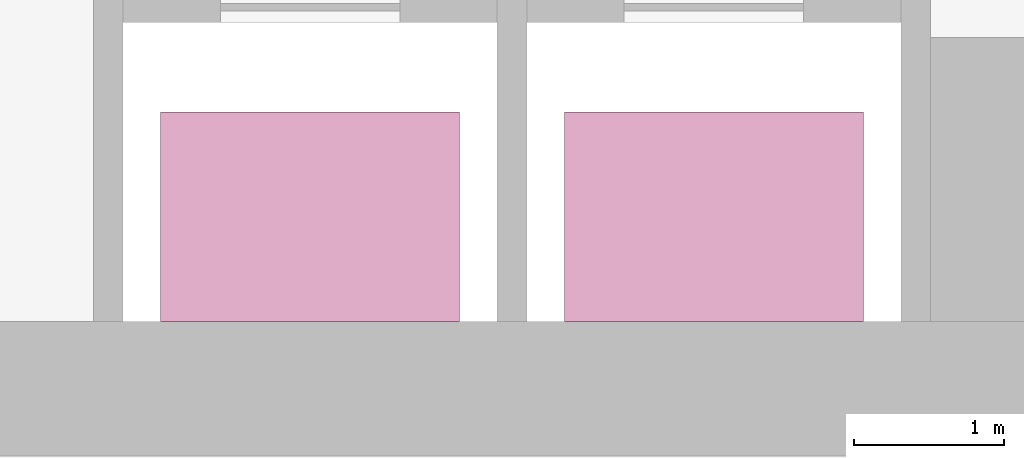
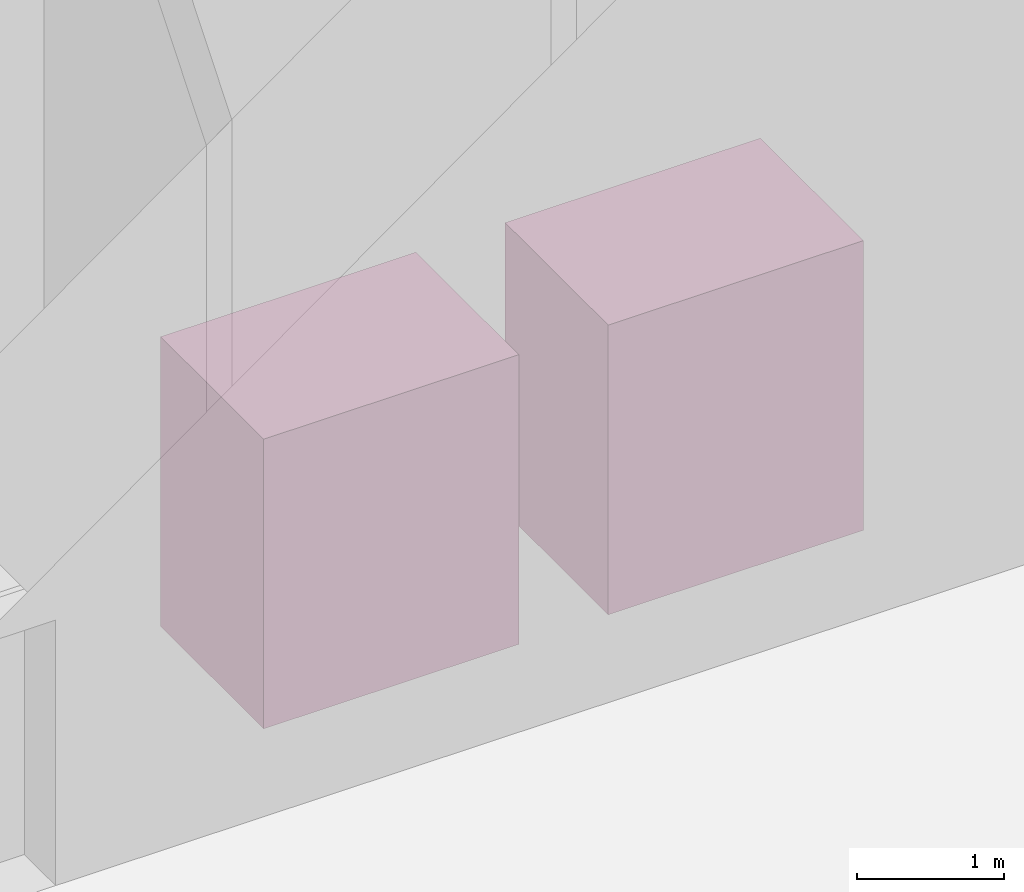
# One storey, part 43 of 43: 2 transport elements.
"""IFC4 building model written with IfcOpenShell, lengths in metres."""

import ifcopenshell
import ifcopenshell.guid

model = None  # the IFC model being written
_history = None  # IfcOwnerHistory: only IFC2X3 demands one
_inside = {}  # id of a spatial element -> (the spatial element, [elements in it])
_under = {}  # id of a project, library or spatial element -> (it, [spatial elements below it])
_declared = {}  # id of a project -> (the project, [libraries it declares])
_typed = {}  # id of a type object -> (the type object, [elements of that type])
_made_of = {}  # id of a material, layer set ... -> (it, [elements and type objects made of it])


def new_model(schema):
    """Start an empty IFC model of exactly this schema.

    Asked for "IFC4X3", IfcOpenShell would pick the latest addendum, in which some entities
    have other attributes; the version numbers below select the first issue.
    IFC2X3 requires an IfcOwnerHistory on every rooted entity: one is made here for all.
    """
    global model, _history
    if schema == "IFC4X3":
        model = ifcopenshell.file(schema_version=(4, 3, 0, 0))
    else:
        model = ifcopenshell.file(schema=schema)
    _inside.clear()
    _under.clear()
    _declared.clear()
    _typed.clear()
    _made_of.clear()
    _history = None
    if model.schema == "IFC2X3":
        org = make("IfcOrganization", Name="unknown")
        user = make(
            "IfcPersonAndOrganization",
            ThePerson=make("IfcPerson", FamilyName="unknown"),
            TheOrganization=org,
        )
        app = make(
            "IfcApplication",
            ApplicationDeveloper=org,
            Version="unknown",
            ApplicationFullName="unknown",
            ApplicationIdentifier="unknown",
        )
        _history = make(
            "IfcOwnerHistory",
            OwningUser=user,
            OwningApplication=app,
            ChangeAction="ADDED",
            CreationDate=0,
        )
    return model


def make(cls, **values):
    """One entity of the class cls with the attributes given. An attribute that is None is left unset."""
    return model.create_entity(
        cls, **{name: value for name, value in values.items() if value is not None}
    )


def rooted(cls, **values):
    """An entity with a GlobalId (a new one), such as an element, a storey or a relation."""
    return make(cls, GlobalId=ifcopenshell.guid.new(), OwnerHistory=_history, **values)


def si_unit(unit_type, name, prefix=None):
    """IfcSIUnit, for example si_unit("LENGTHUNIT", "METRE", prefix="MILLI")."""
    return make("IfcSIUnit", UnitType=unit_type, Prefix=prefix, Name=name)


def assignment(units):
    """IfcUnitAssignment: the units of a project."""
    return None if units is None else make("IfcUnitAssignment", Units=units)


def point(xyz):
    """IfcCartesianPoint."""
    return None if xyz is None else make("IfcCartesianPoint", Coordinates=xyz)


def direction(xyz):
    """IfcDirection."""
    return None if xyz is None else make("IfcDirection", DirectionRatios=xyz)


def frame(location, z_axis=None, x_axis=None):
    """IfcAxis2Placement3D, a coordinate frame: its origin and axes. An axis left out is left unset."""
    return make(
        "IfcAxis2Placement3D",
        Location=point(location),
        Axis=direction(z_axis),
        RefDirection=direction(x_axis),
    )


def frame_2d(location, x_axis=None):
    """IfcAxis2Placement2D, a coordinate frame in the plane: its origin and x axis."""
    return make(
        "IfcAxis2Placement2D", Location=point(location), RefDirection=direction(x_axis)
    )


def origin():
    """The frame at (0, 0, 0) with its axes left unset."""
    return frame((0.0, 0.0, 0.0))


def origin_2d():
    """The frame at (0, 0) in the plane with its x axis left unset."""
    return frame_2d((0.0, 0.0))


def place(relative_to, where):
    """IfcLocalPlacement: puts the frame where relative to a parent placement (None: the world)."""
    return make(
        "IfcLocalPlacement", PlacementRelTo=relative_to, RelativePlacement=where
    )


def context(
    kind, dimensions, precision=None, world=None, true_north=None, identifier=None
):
    """IfcGeometricRepresentationContext, for example the 3D "Model" context."""
    return make(
        "IfcGeometricRepresentationContext",
        ContextIdentifier=identifier,
        ContextType=kind,
        CoordinateSpaceDimension=dimensions,
        Precision=precision,
        WorldCoordinateSystem=world,
        TrueNorth=true_north,
    )


def subcontext(parent, identifier, kind, view, scale=None):
    """IfcGeometricRepresentationSubContext, for example "Body" below "Model"."""
    return make(
        "IfcGeometricRepresentationSubContext",
        ContextIdentifier=identifier,
        ContextType=kind,
        ParentContext=parent,
        TargetScale=scale,
        TargetView=view,
    )


def project(units=None, contexts=None):
    """IfcProject with its units and contexts."""
    return rooted(
        "IfcProject",
        Name="project",
        RepresentationContexts=contexts,
        UnitsInContext=assignment(units),
    )


def spatial(cls, under=None, at=None, **own):
    """A site, building, storey or space (cls), placed at a placement, below another one or the project."""
    s = rooted(cls, ObjectPlacement=at, **own)
    if under is not None:
        _under.setdefault(under.id(), (under, []))[1].append(s)
    return s


def profile(cls, at=None, kind="AREA", **sizes):
    """A parametric profile (cls). Its sizes go by their IFC names, for example OverallWidth=200.0."""
    return make(cls, ProfileType=kind, Position=at, **sizes)


def rectangle(**sizes):
    """IfcRectangleProfileDef."""
    return profile("IfcRectangleProfileDef", **sizes)


def extrude(swept, where, along, depth):
    """IfcExtrudedAreaSolid: the profile swept, set in the frame where, extruded along a direction by depth."""
    return make(
        "IfcExtrudedAreaSolid",
        SweptArea=swept,
        Position=where,
        ExtrudedDirection=direction(along),
        Depth=depth,
    )


def shape(context_of_items, identifier, shape_type, items):
    """IfcShapeRepresentation: the items that make up one representation, for example the "Body"."""
    return make(
        "IfcShapeRepresentation",
        ContextOfItems=context_of_items,
        RepresentationIdentifier=identifier,
        RepresentationType=shape_type,
        Items=items,
    )


def material(Name=None, Category=None):
    """IfcMaterial."""
    return make("IfcMaterial", Name=Name, Category=Category)


def made_of(thing, what):
    """Note that an element or type object is made of a material, layer set ...; save() writes the relation."""
    if what is not None:
        _made_of.setdefault(what.id(), (what, []))[1].append(thing)
    return thing


def type_object(cls, material=None, **own):
    """A type object (cls), such as IfcWallType, which elements share."""
    return made_of(rooted(cls, **own), material)


def element(
    cls,
    number,
    at=None,
    inside=None,
    cuts=None,
    type_object=None,
    material=None,
    context=None,
    identifier="Body",
    shape_type=None,
    held_by="IfcProductDefinitionShape",
    body=None,
    shapes=None,
    **own,
):
    """One element of the class cls, such as IfcWall. Its Tag is "e" and its number.

    at: its placement. inside: the storey or other place that contains it. cuts: it is an
    opening in that element (IfcRelVoidsElement). A single representation is given by context,
    identifier, shape_type and body (its items); several are given by shapes. held_by: the class
    of the entity that holds the representations. save() writes the other relations.
    """
    e = rooted(cls, Tag="e%d" % number, ObjectPlacement=at, **own)
    if body is not None:
        shapes = [shape(context, identifier, shape_type, body)]
    if shapes is not None:
        e.Representation = make(held_by, Representations=shapes)
    if inside is not None:
        _inside.setdefault(inside.id(), (inside, []))[1].append(e)
    if cuts is not None:
        rooted(
            "IfcRelVoidsElement", RelatingBuildingElement=cuts, RelatedOpeningElement=e
        )
    if type_object is not None:
        _typed.setdefault(type_object.id(), (type_object, []))[1].append(e)
    return made_of(e, material)


def aggregate(whole, parts):
    """IfcRelAggregates: a whole, such as a stair, and the parts it consists of."""
    return rooted("IfcRelAggregates", RelatingObject=whole, RelatedObjects=parts)


def save(model, path):
    """Write the relations noted so far, then the file.

    IfcRelAggregates (storeys below a building ...), IfcRelContainedInSpatialStructure (elements
    in a storey), IfcRelDefinesByType, IfcRelAssociatesMaterial and IfcRelDeclares: one each for
    every whole, place, type object, material and project.
    """
    for whole, parts in _under.values():
        aggregate(whole, parts)
    for where, things in _inside.values():
        rooted(
            "IfcRelContainedInSpatialStructure",
            RelatedElements=things,
            RelatingStructure=where,
        )
    for kind, things in _typed.values():
        rooted("IfcRelDefinesByType", RelatedObjects=things, RelatingType=kind)
    for what, things in _made_of.values():
        rooted("IfcRelAssociatesMaterial", RelatedObjects=things, RelatingMaterial=what)
    for by, libraries in _declared.values():
        rooted("IfcRelDeclares", RelatingContext=by, RelatedDefinitions=libraries)
    model.write(path)


model = new_model("IFC4")

# Units and contexts
model_context = context("Model", 3, precision=1e-05, world=origin(), true_north=direction((0.0, 1.0)))
body_context = subcontext(model_context, "Body", "Model", "MODEL_VIEW")
ifc_project = project(units=[si_unit("LENGTHUNIT", "METRE"), si_unit("AREAUNIT", "SQUARE_METRE"), si_unit("VOLUMEUNIT", "CUBIC_METRE"), si_unit("PLANEANGLEUNIT", "RADIAN"), si_unit("MASSUNIT", "GRAM", prefix="KILO")], contexts=[model_context])

# Site, building, storey
site_placement = place(None, origin())
site = spatial("IfcSite", under=ifc_project, at=site_placement, CompositionType="ELEMENT")
building_placement = place(site_placement, origin())
building = spatial("IfcBuilding", under=site, at=building_placement, Name="Khepri Terraces", CompositionType="ELEMENT")
storey_placement = place(building_placement, origin())
storey = spatial("IfcBuildingStorey", under=building, at=storey_placement, Name="L00", CompositionType="ELEMENT", Elevation=0.0)

# Transport elements
ifc_material = material(Name="Stainless steel 304", Category="steel")
transport_element_type = type_object("IfcTransportElementType", Name="LIFT-CAR-SHUTTLE", PredefinedType="ELEVATOR", material=ifc_material)
for number, where, z_axis, x_axis, name in (
    (1, (1.35009765625, -9.39990234375, 0.0), (0.0, 0.0, 1.0), (1.0, 0.0, 0.0), "Shuttle lift SH1 car"),
    (2, (4.050048828125, -9.39990234375, 0.0), (0.0, 0.0, 1.0), (1.0, 0.0, 0.0), "Shuttle lift SH2 car"),
):
    element("IfcTransportElement", number, at=place(storey_placement, frame(where, z_axis=z_axis, x_axis=x_axis)), inside=storey, type_object=transport_element_type, Name=name, PredefinedType="ELEVATOR", context=body_context, shape_type="SweptSolid", body=[
        extrude(rectangle(XDim=2.0, YDim=1.39990234375, at=origin_2d()), origin(), (0.0, 0.0, 1.0), 2.39990234375),
    ])

save(model, "model.ifc")
